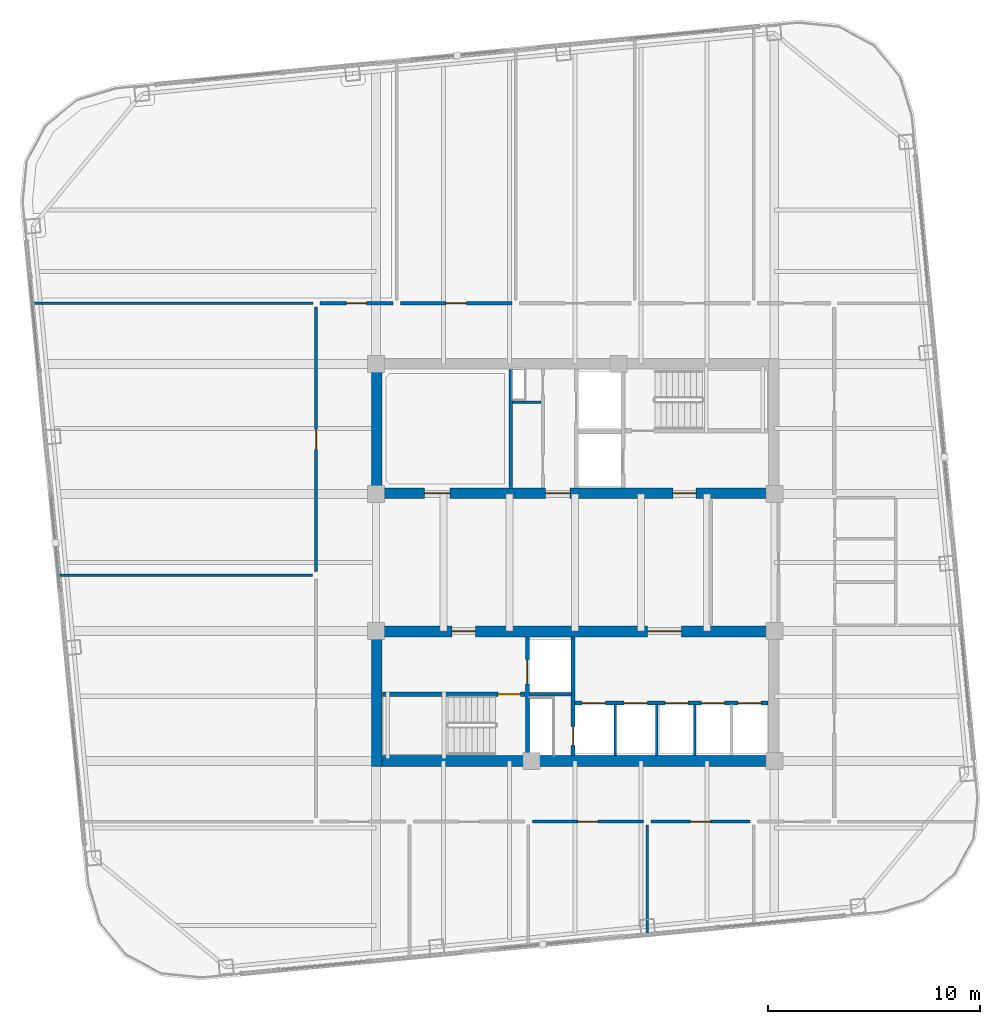
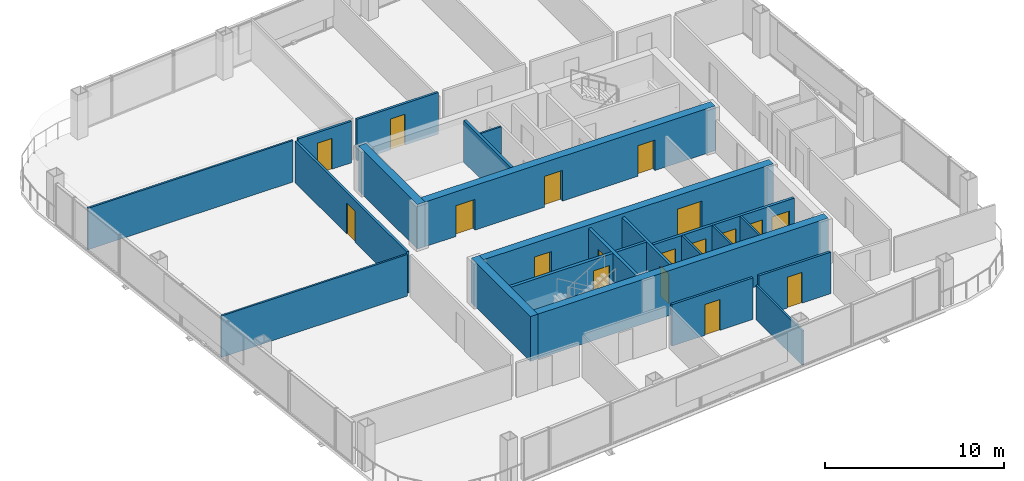
# One storey, part 17 of 22: 23 walls, 18 doors, 18 openings.
"""IFC4 building model written with IfcOpenShell, lengths in metres."""

from ifc_helpers import new_model, si_unit, direction, frame, frame_2d, origin, place, context, subcontext, project, spatial, rectangle, extrude, material, layer, layer_set, type_object, element, fill, save


model = new_model("IFC4")

# Units and contexts
model_context = context("Model", 3, precision=1e-05, world=origin(), true_north=direction((0.0, 1.0)))
body_context = subcontext(model_context, "Body", "Model", "MODEL_VIEW")
ifc_project = project(units=[si_unit("LENGTHUNIT", "METRE"), si_unit("AREAUNIT", "SQUARE_METRE"), si_unit("VOLUMEUNIT", "CUBIC_METRE"), si_unit("PLANEANGLEUNIT", "RADIAN"), si_unit("MASSUNIT", "GRAM", prefix="KILO")], contexts=[model_context])

# Site, building, storey
site_placement = place(None, origin())
site = spatial("IfcSite", under=ifc_project, at=site_placement, CompositionType="ELEMENT")
building_placement = place(site_placement, origin())
building = spatial("IfcBuilding", under=site, at=building_placement, Name="Qhalaya Broadcast Tower", CompositionType="ELEMENT")
storey_placement = place(building_placement, frame((0.0, 0.0, 171.39990234375)))
storey = spatial("IfcBuildingStorey", under=building, at=storey_placement, Name="L50", CompositionType="ELEMENT", Elevation=171.39990234375)

# Wall, opening, door
ifc_material_1 = material(Name="Gypsum Acoustic Partition")
ifc_layer_1 = layer(ifc_material_1, 0.14990234375, Name="Gypsum Acoustic Partition")
ifc_layer_set_1 = layer_set([ifc_layer_1], Name="Gypsum Acoustic Partition")
wall_type_1 = type_object("IfcWallType", Name="Corridor & Tenancy Acoustic Partition 150", PredefinedType="PARTITIONING", material=ifc_layer_set_1)
wall_1_placement = place(storey_placement, frame((-12.02001953125, 12.800048828125, 0.0), z_axis=(0.0, 0.0, 1.0), x_axis=(1.0, 0.0, 0.0)))
wall_1 = element("IfcWall", 1, at=wall_1_placement, inside=storey, type_object=wall_type_1, Name="L50 Partition Wall W-COR-01", PredefinedType="PARTITIONING", context=body_context, shape_type="SweptSolid", body=[
    extrude(rectangle(XDim=3.43994140625, YDim=0.14990234375, at=frame_2d((1.719970703125, 0.0))), origin(), (0.0, 0.0, 1.0), 2.830078125),
])
opening_1_placement = place(wall_1_placement, frame((1.2451171875, 0.0, 0.0)))
opening_1 = element("IfcOpeningElement", 2, at=opening_1_placement, cuts=wall_1, Name="Opening D10", PredefinedType="OPENING", context=body_context, shape_type="SweptSolid", body=[
    extrude(rectangle(XDim=0.949951171875, YDim=2.10009765625, at=frame_2d((0.47509765625, 1.050048828125))), frame((0.0, 0.0869140625, 0.0), z_axis=(0.0, -1.0, 0.0), x_axis=(1.0, 0.0, 0.0)), (0.0, 0.0, 1.0), 0.173828125),
])
ifc_material_2 = material(Name="Timber Veneer Acoustic Door", Category="wood")
door_type_1 = type_object("IfcDoorType", Name="Cellular Office & Edit Booth Door D10", OperationType="NOTDEFINED", PredefinedType="DOOR", material=ifc_material_2)
door_1_placement = place(opening_1_placement, origin())
door_1 = element("IfcDoor", 3, at=door_1_placement, inside=storey, type_object=door_type_1, Name="L50 Door D-RM01", OperationType="SINGLE_SWING_RIGHT", OverallHeight=2.10009765625, OverallWidth=0.949951171875, PredefinedType="DOOR", context=body_context, shape_type="SweptSolid", body=[
    extrude(rectangle(XDim=0.949951171875, YDim=2.10009765625, at=frame_2d((0.47509765625, 1.050048828125))), frame((0.0, 0.02490234375, 0.0), z_axis=(0.0, -1.0, 0.0), x_axis=(1.0, 0.0, 0.0)), (0.0, 0.0, 1.0), 0.050048828125),
])
fill(opening_1, door_1)

wall_2_placement = place(storey_placement, frame((-8.219970703125, 12.800048828125, 0.0), z_axis=(0.0, 0.0, 1.0), x_axis=(1.0, 0.0, 0.0)))
wall_2 = element("IfcWall", 4, at=wall_2_placement, inside=storey, type_object=wall_type_1, Name="L50 Partition Wall W-COR-02", PredefinedType="PARTITIONING", context=body_context, shape_type="SweptSolid", body=[
    extrude(rectangle(XDim=5.239990234375, YDim=0.14990234375, at=frame_2d((2.6201171875, 0.0))), origin(), (0.0, 0.0, 1.0), 2.830078125),
])
opening_2_placement = place(wall_2_placement, frame((2.14501953125, 0.0, 0.0)))
opening_2 = element("IfcOpeningElement", 5, at=opening_2_placement, cuts=wall_2, Name="Opening D10", PredefinedType="OPENING", context=body_context, shape_type="SweptSolid", body=[
    extrude(rectangle(XDim=0.949951171875, YDim=2.10009765625, at=frame_2d((0.47509765625, 1.050048828125))), frame((0.0, 0.0869140625, 0.0), z_axis=(0.0, -1.0, 0.0), x_axis=(1.0, 0.0, 0.0)), (0.0, 0.0, 1.0), 0.173828125),
])
door_2_placement = place(opening_2_placement, origin())
door_2 = element("IfcDoor", 6, at=door_2_placement, inside=storey, type_object=door_type_1, Name="L50 Door D-RM02", OperationType="SINGLE_SWING_LEFT", OverallHeight=2.10009765625, OverallWidth=0.949951171875, PredefinedType="DOOR", context=body_context, shape_type="SweptSolid", body=[
    extrude(rectangle(XDim=0.949951171875, YDim=2.10009765625, at=frame_2d((0.47509765625, 1.050048828125))), frame((0.0, 0.02490234375, 0.0), z_axis=(0.0, -1.0, 0.0), x_axis=(1.0, 0.0, 0.0)), (0.0, 0.0, 1.0), 0.050048828125),
])
fill(opening_2, door_2)

wall_3_placement = place(storey_placement, frame((-2.02001953125, -11.60009765625, 0.0), z_axis=(0.0, 0.0, 1.0), x_axis=(1.0, 0.0, 0.0)))
wall_3 = element("IfcWall", 7, at=wall_3_placement, inside=storey, type_object=wall_type_1, Name="L50 Partition Wall W-COR-08", PredefinedType="PARTITIONING", context=body_context, shape_type="SweptSolid", body=[
    extrude(rectangle(XDim=5.239990234375, YDim=0.14990234375, at=frame_2d((2.6201171875, 0.0))), origin(), (0.0, 0.0, 1.0), 2.830078125),
])
opening_3_placement = place(wall_3_placement, frame((2.14501953125, 0.0, 0.0)))
opening_3 = element("IfcOpeningElement", 8, at=opening_3_placement, cuts=wall_3, Name="Opening D10", PredefinedType="OPENING", context=body_context, shape_type="SweptSolid", body=[
    extrude(rectangle(XDim=0.949951171875, YDim=2.10009765625, at=frame_2d((0.47509765625, 1.050048828125))), frame((0.0, 0.0869140625, 0.0), z_axis=(0.0, -1.0, 0.0), x_axis=(1.0, 0.0, 0.0)), (0.0, 0.0, 1.0), 0.173828125),
])
door_3_placement = place(opening_3_placement, origin())
door_3 = element("IfcDoor", 9, at=door_3_placement, inside=storey, type_object=door_type_1, Name="L50 Door D-RM08", OperationType="SINGLE_SWING_LEFT", OverallHeight=2.10009765625, OverallWidth=0.949951171875, PredefinedType="DOOR", context=body_context, shape_type="SweptSolid", body=[
    extrude(rectangle(XDim=0.949951171875, YDim=2.10009765625, at=frame_2d((0.47509765625, 1.050048828125))), frame((0.0, 0.02490234375, 0.0), z_axis=(0.0, -1.0, 0.0), x_axis=(1.0, 0.0, 0.0)), (0.0, 0.0, 1.0), 0.050048828125),
])
fill(opening_3, door_3)

wall_4_placement = place(storey_placement, frame((3.580078125, -11.60009765625, 0.0), z_axis=(0.0, 0.0, 1.0), x_axis=(1.0, 0.0, 0.0)))
wall_4 = element("IfcWall", 10, at=wall_4_placement, inside=storey, type_object=wall_type_1, Name="L50 Partition Wall W-COR-09", PredefinedType="PARTITIONING", context=body_context, shape_type="SweptSolid", body=[
    extrude(rectangle(XDim=4.639892578125, YDim=0.14990234375, at=frame_2d((2.31982421875, 0.0))), origin(), (0.0, 0.0, 1.0), 2.830078125),
])
opening_4_placement = place(wall_4_placement, frame((1.844970703125, 0.0, 0.0)))
opening_4 = element("IfcOpeningElement", 11, at=opening_4_placement, cuts=wall_4, Name="Opening D10", PredefinedType="OPENING", context=body_context, shape_type="SweptSolid", body=[
    extrude(rectangle(XDim=0.949951171875, YDim=2.10009765625, at=frame_2d((0.47509765625, 1.050048828125))), frame((0.0, 0.0869140625, 0.0), z_axis=(0.0, -1.0, 0.0), x_axis=(1.0, 0.0, 0.0)), (0.0, 0.0, 1.0), 0.173828125),
])
door_4_placement = place(opening_4_placement, origin())
door_4 = element("IfcDoor", 12, at=door_4_placement, inside=storey, type_object=door_type_1, Name="L50 Door D-RM09", OperationType="SINGLE_SWING_RIGHT", OverallHeight=2.10009765625, OverallWidth=0.949951171875, PredefinedType="DOOR", context=body_context, shape_type="SweptSolid", body=[
    extrude(rectangle(XDim=0.949951171875, YDim=2.10009765625, at=frame_2d((0.47509765625, 1.050048828125))), frame((0.0, 0.02490234375, 0.0), z_axis=(0.0, -1.0, 0.0), x_axis=(1.0, 0.0, 0.0)), (0.0, 0.0, 1.0), 0.050048828125),
])
fill(opening_4, door_4)

wall_5_placement = place(storey_placement, frame((-12.199951171875, 0.179931640625, 0.0), z_axis=(0.0, 0.0, 1.0), x_axis=(0.0, 1.0, 0.0)))
wall_5 = element("IfcWall", 13, at=wall_5_placement, inside=storey, type_object=wall_type_1, Name="L50 Partition Wall W-COR-12", PredefinedType="PARTITIONING", context=body_context, shape_type="SweptSolid", body=[
    extrude(rectangle(XDim=12.440185546875, YDim=0.14990234375, at=frame_2d((6.22021484375, 0.0))), origin(), (0.0, 0.0, 1.0), 2.830078125),
])
opening_5_placement = place(wall_5_placement, frame((5.7451171875, 0.0, 0.0)))
opening_5 = element("IfcOpeningElement", 14, at=opening_5_placement, cuts=wall_5, Name="Opening D10", PredefinedType="OPENING", context=body_context, shape_type="SweptSolid", body=[
    extrude(rectangle(XDim=0.949951171875, YDim=2.10009765625, at=frame_2d((0.47509765625, 1.050048828125))), frame((0.0, 0.0869140625, 0.0), z_axis=(0.0, -1.0, 0.0), x_axis=(1.0, 0.0, 0.0)), (0.0, 0.0, 1.0), 0.173828125),
])
door_5_placement = place(opening_5_placement, origin())
door_5 = element("IfcDoor", 15, at=door_5_placement, inside=storey, type_object=door_type_1, Name="L50 Door D-RM12", OperationType="SINGLE_SWING_LEFT", OverallHeight=2.10009765625, OverallWidth=0.949951171875, PredefinedType="DOOR", context=body_context, shape_type="SweptSolid", body=[
    extrude(rectangle(XDim=0.949951171875, YDim=2.10009765625, at=frame_2d((0.47509765625, 1.050048828125))), frame((0.0, 0.02490234375, 0.0), z_axis=(0.0, -1.0, 0.0), x_axis=(1.0, 0.0, 0.0)), (0.0, 0.0, 1.0), 0.050048828125),
])
fill(opening_5, door_5)

ifc_material_3 = material(Name="Concrete C50/60", Category="concrete")
ifc_layer_2 = layer(ifc_material_3, 0.199951171875, Name="Concrete C50/60")
ifc_layer_set_2 = layer_set([ifc_layer_2], Name="Concrete C50/60")
wall_type_2 = type_object("IfcWallType", Name="Load-Bearing Stair Shaft Wall 200", PredefinedType="SHEAR", material=ifc_layer_set_2)
wall_6_placement = place(storey_placement, frame((-9.080078125, -5.60498046875, 0.0), z_axis=(0.0, 0.0, 1.0), x_axis=(1.0, 0.0, 0.0)))
wall_6 = element("IfcWall", 16, at=wall_6_placement, inside=storey, type_object=wall_type_2, Name="L50 Stair Core Shear Wall SCW-ST2", PredefinedType="SHEAR", context=body_context, shape_type="SweptSolid", body=[
    extrude(rectangle(XDim=6.719970703125, YDim=0.199951171875, at=frame_2d((3.35986328125, 0.0))), origin(), (0.0, 0.0, 1.0), 2.830078125),
])
opening_6_placement = place(wall_6_placement, frame((5.449951171875, 0.0, 0.0)))
opening_6 = element("IfcOpeningElement", 17, at=opening_6_placement, cuts=wall_6, Name="Opening D03", PredefinedType="OPENING", context=body_context, shape_type="SweptSolid", body=[
    extrude(rectangle(XDim=1.050048828125, YDim=2.080078125, at=frame_2d((0.52490234375, 1.0400390625))), frame((0.0, 0.112060546875, 0.0), z_axis=(0.0, -1.0, 0.0), x_axis=(1.0, 0.0, 0.0)), (0.0, 0.0, 1.0), 0.223876953125),
])
ifc_material_4 = material(Name="Fire-Rated Steel Door", Category="steel")
door_type_2 = type_object("IfcDoorType", Name="Core Stair Protected Fire Door D03", OperationType="NOTDEFINED", PredefinedType="DOOR", material=ifc_material_4)
door_6_placement = place(opening_6_placement, origin())
door_6 = element("IfcDoor", 18, at=door_6_placement, inside=storey, type_object=door_type_2, Name="L50 Door D-SST2", OperationType="SINGLE_SWING_RIGHT", OverallHeight=2.080078125, OverallWidth=1.050048828125, PredefinedType="DOOR", context=body_context, shape_type="SweptSolid", body=[
    extrude(rectangle(XDim=1.050048828125, YDim=2.080078125, at=frame_2d((0.52490234375, 1.0400390625))), frame((0.0, 0.02490234375, 0.0), z_axis=(0.0, -1.0, 0.0), x_axis=(1.0, 0.0, 0.0)), (0.0, 0.0, 1.0), 0.050048828125),
])
fill(opening_6, door_6)

wall_7_placement = place(storey_placement, frame((-2.25, -8.47998046875, 0.0), z_axis=(0.0, 0.0, 1.0), x_axis=(0.0, 1.0, 0.0)))
wall_7 = element("IfcWall", 19, at=wall_7_placement, inside=storey, type_object=wall_type_2, Name="L50 Stair Core Shear Wall SCW-FF", PredefinedType="SHEAR", context=body_context, shape_type="SweptSolid", body=[
    extrude(rectangle(XDim=5.56005859375, YDim=0.199951171875, at=frame_2d((2.780029296875, 0.0))), origin(), (0.0, 0.0, 1.0), 2.830078125),
])
opening_7_placement = place(wall_7_placement, frame((3.35009765625, 0.0, 0.0)))
opening_7 = element("IfcOpeningElement", 20, at=opening_7_placement, cuts=wall_7, Name="Opening LD2", PredefinedType="OPENING", context=body_context, shape_type="SweptSolid", body=[
    extrude(rectangle(XDim=1.14990234375, YDim=2.080078125, at=frame_2d((0.574951171875, 1.0400390625))), frame((0.0, 0.112060546875, 0.0), z_axis=(0.0, -1.0, 0.0), x_axis=(1.0, 0.0, 0.0)), (0.0, 0.0, 1.0), 0.223876953125),
])
ifc_material_5 = material(Name="Brushed Stainless Steel Lift Door", Category="steel")
door_type_3 = type_object("IfcDoorType", Name="Firefighting Lift Sliding Landing Door LD2", OperationType="DOUBLE_DOOR_SLIDING", PredefinedType="DOOR", material=ifc_material_5)
door_7_placement = place(opening_7_placement, origin())
door_7 = element("IfcDoor", 21, at=door_7_placement, inside=storey, type_object=door_type_3, Name="L50 Door LD-FF2", OperationType="DOUBLE_DOOR_SLIDING", OverallHeight=2.080078125, OverallWidth=1.14990234375, PredefinedType="DOOR", context=body_context, shape_type="SweptSolid", body=[
    extrude(rectangle(XDim=1.14990234375, YDim=2.080078125, at=frame_2d((0.574951171875, 1.0400390625))), frame((0.0, 0.02490234375, 0.0), z_axis=(0.0, -1.0, 0.0), x_axis=(1.0, 0.0, 0.0)), (0.0, 0.0, 1.0), 0.050048828125),
])
fill(opening_7, door_7)

# Wall, openings, doors
ifc_layer_3 = layer(ifc_material_3, 0.5, Name="Concrete C50/60")
ifc_layer_set_3 = layer_set([ifc_layer_3], Name="Concrete C50/60")
wall_type_3 = type_object("IfcWallType", Name="Mid Split-Core Shear Wall 500", PredefinedType="SHEAR", material=ifc_layer_set_3)
wall_8_placement = place(storey_placement, frame((-9.60009765625, 3.85009765625, 0.0), z_axis=(0.0, 0.0, 1.0), x_axis=(1.0, 0.0, 0.0)))
wall_8 = element("IfcWall", 22, at=wall_8_placement, inside=storey, type_object=wall_type_3, Name="L50 Split-Core Shear Wall CW-NS", PredefinedType="SHEAR", context=body_context, shape_type="SweptSolid", body=[
    extrude(rectangle(XDim=19.2001953125, YDim=0.5, at=frame_2d((9.60009765625, 0.0))), origin(), (0.0, 0.0, 1.0), 3.050048828125),
])
opening_8_placement = place(wall_8_placement, frame((14.199951171875, 0.0, 0.0)))
opening_8 = element("IfcOpeningElement", 23, at=opening_8_placement, cuts=wall_8, Name="Opening D04", PredefinedType="OPENING", context=body_context, shape_type="SweptSolid", body=[
    extrude(rectangle(XDim=1.10009765625, YDim=2.080078125, at=frame_2d((0.550048828125, 1.0400390625))), frame((0.0, 0.261962890625, 0.0), z_axis=(0.0, -1.0, 0.0), x_axis=(1.0, 0.0, 0.0)), (0.0, 0.0, 1.0), 0.52392578125),
])
opening_9_placement = place(wall_8_placement, frame((8.199951171875, 0.0, 0.0)))
opening_9 = element("IfcOpeningElement", 24, at=opening_9_placement, cuts=wall_8, Name="Opening D05", PredefinedType="OPENING", context=body_context, shape_type="SweptSolid", body=[
    extrude(rectangle(XDim=1.14990234375, YDim=2.10009765625, at=frame_2d((0.574951171875, 1.050048828125))), frame((0.0, 0.261962890625, 0.0), z_axis=(0.0, -1.0, 0.0), x_axis=(1.0, 0.0, 0.0)), (0.0, 0.0, 1.0), 0.52392578125),
])
opening_10_placement = place(wall_8_placement, frame((2.5, 0.0, 0.0)))
opening_10 = element("IfcOpeningElement", 25, at=opening_10_placement, cuts=wall_8, Name="Opening D11", PredefinedType="OPENING", context=body_context, shape_type="SweptSolid", body=[
    extrude(rectangle(XDim=1.199951171875, YDim=2.10009765625, at=frame_2d((0.60009765625, 1.050048828125))), frame((0.0, 0.261962890625, 0.0), z_axis=(0.0, -1.0, 0.0), x_axis=(1.0, 0.0, 0.0)), (0.0, 0.0, 1.0), 0.52392578125),
])
ifc_material_6 = material(Name="Anodised Aluminium Glazed Door", Category="aluminium")
door_type_4 = type_object("IfcDoorType", Name="Conference, Boardroom & Studio Control Door D11", OperationType="NOTDEFINED", PredefinedType="DOOR", material=ifc_material_6)
door_8_placement = place(opening_10_placement, origin())
door_8 = element("IfcDoor", 26, at=door_8_placement, inside=storey, type_object=door_type_4, Name="L50 Door D-NREC1", OperationType="SINGLE_SWING_LEFT", OverallHeight=2.10009765625, OverallWidth=1.199951171875, PredefinedType="DOOR", context=body_context, shape_type="SweptSolid", body=[
    extrude(rectangle(XDim=1.199951171875, YDim=2.10009765625, at=frame_2d((0.60009765625, 1.050048828125))), frame((0.0, 0.02490234375, 0.0), z_axis=(0.0, -1.0, 0.0), x_axis=(1.0, 0.0, 0.0)), (0.0, 0.0, 1.0), 0.050048828125),
])
fill(opening_10, door_8)
door_type_5 = type_object("IfcDoorType", Name="Firefighting Lobby Rated Door D04", OperationType="NOTDEFINED", PredefinedType="DOOR", material=ifc_material_4)
door_9_placement = place(opening_8_placement, origin())
door_9 = element("IfcDoor", 27, at=door_9_placement, inside=storey, type_object=door_type_5, Name="L50 Door D-NFF", OperationType="SINGLE_SWING_RIGHT", OverallHeight=2.080078125, OverallWidth=1.10009765625, PredefinedType="DOOR", context=body_context, shape_type="SweptSolid", body=[
    extrude(rectangle(XDim=1.10009765625, YDim=2.080078125, at=frame_2d((0.550048828125, 1.0400390625))), frame((0.0, 0.02490234375, 0.0), z_axis=(0.0, -1.0, 0.0), x_axis=(1.0, 0.0, 0.0)), (0.0, 0.0, 1.0), 0.050048828125),
])
fill(opening_8, door_9)
door_type_6 = type_object("IfcDoorType", Name="Refuge & Plant Room Fire Door D05", OperationType="NOTDEFINED", PredefinedType="DOOR", material=ifc_material_4)
door_10_placement = place(opening_9_placement, origin())
door_10 = element("IfcDoor", 28, at=door_10_placement, inside=storey, type_object=door_type_6, Name="L50 Door D-NSVL", OperationType="SINGLE_SWING_LEFT", OverallHeight=2.10009765625, OverallWidth=1.14990234375, PredefinedType="DOOR", context=body_context, shape_type="SweptSolid", body=[
    extrude(rectangle(XDim=1.14990234375, YDim=2.10009765625, at=frame_2d((0.574951171875, 1.050048828125))), frame((0.0, 0.02490234375, 0.0), z_axis=(0.0, -1.0, 0.0), x_axis=(1.0, 0.0, 0.0)), (0.0, 0.0, 1.0), 0.050048828125),
])
fill(opening_9, door_10)

# Walls
wall_9_placement = place(storey_placement, frame((-9.35009765625, 3.60009765625, 0.0), z_axis=(0.0, 0.0, 1.0), x_axis=(0.0, 1.0, 0.0)))
element("IfcWall", 29, at=wall_9_placement, inside=storey, type_object=wall_type_3, Name="L50 Split-Core Shear Wall CW-NW", PredefinedType="SHEAR", context=body_context, shape_type="SweptSolid", body=[
    extrude(rectangle(XDim=6.599853515625, YDim=0.5, at=frame_2d((3.2998046875, 0.0))), origin(), (0.0, 0.0, 1.0), 3.050048828125),
])
wall_10_placement = place(storey_placement, frame((-9.60009765625, -8.75, 0.0), z_axis=(0.0, 0.0, 1.0), x_axis=(1.0, 0.0, 0.0)))
element("IfcWall", 30, at=wall_10_placement, inside=storey, type_object=wall_type_3, Name="L50 Split-Core Shear Wall CW-SS", PredefinedType="SHEAR", context=body_context, shape_type="SweptSolid", body=[
    extrude(rectangle(XDim=19.2001953125, YDim=0.5, at=frame_2d((9.60009765625, 0.0))), origin(), (0.0, 0.0, 1.0), 3.050048828125),
])

# Wall, openings, doors
wall_11_placement = place(storey_placement, frame((-9.60009765625, -2.64990234375, 0.0), z_axis=(0.0, 0.0, 1.0), x_axis=(1.0, 0.0, 0.0)))
wall_11 = element("IfcWall", 31, at=wall_11_placement, inside=storey, type_object=wall_type_3, Name="L50 Split-Core Shear Wall CW-SN", PredefinedType="SHEAR", context=body_context, shape_type="SweptSolid", body=[
    extrude(rectangle(XDim=19.2001953125, YDim=0.5, at=frame_2d((9.60009765625, 0.0))), origin(), (0.0, 0.0, 1.0), 3.050048828125),
])
opening_11_placement = place(wall_11_placement, frame((3.800048828125, 0.0, 0.0)))
opening_11 = element("IfcOpeningElement", 32, at=opening_11_placement, cuts=wall_11, Name="Opening D04", PredefinedType="OPENING", context=body_context, shape_type="SweptSolid", body=[
    extrude(rectangle(XDim=1.10009765625, YDim=2.080078125, at=frame_2d((0.550048828125, 1.0400390625))), frame((0.0, 0.261962890625, 0.0), z_axis=(0.0, -1.0, 0.0), x_axis=(1.0, 0.0, 0.0)), (0.0, 0.0, 1.0), 0.52392578125),
])
opening_12_placement = place(wall_11_placement, frame((13.0, 0.0, 0.0)))
opening_12 = element("IfcOpeningElement", 33, at=opening_12_placement, cuts=wall_11, Name="Opening D07", PredefinedType="OPENING", context=body_context, shape_type="SweptSolid", body=[
    extrude(rectangle(XDim=1.60009765625, YDim=2.1201171875, at=frame_2d((0.800048828125, 1.06005859375))), frame((0.0, 0.261962890625, 0.0), z_axis=(0.0, -1.0, 0.0), x_axis=(1.0, 0.0, 0.0)), (0.0, 0.0, 1.0), 0.52392578125),
])
door_11_placement = place(opening_11_placement, origin())
door_11 = element("IfcDoor", 34, at=door_11_placement, inside=storey, type_object=door_type_5, Name="L50 Door D-SFF", OperationType="SINGLE_SWING_LEFT", OverallHeight=2.080078125, OverallWidth=1.10009765625, PredefinedType="DOOR", context=body_context, shape_type="SweptSolid", body=[
    extrude(rectangle(XDim=1.10009765625, YDim=2.080078125, at=frame_2d((0.550048828125, 1.0400390625))), frame((0.0, 0.02490234375, 0.0), z_axis=(0.0, -1.0, 0.0), x_axis=(1.0, 0.0, 0.0)), (0.0, 0.0, 1.0), 0.050048828125),
])
fill(opening_11, door_11)
door_type_7 = type_object("IfcDoorType", Name="Passenger Lift Lobby Double Glazed Door D07", OperationType="DOUBLE_DOOR_SINGLE_SWING", PredefinedType="DOOR", material=ifc_material_6)
door_12_placement = place(opening_12_placement, origin())
door_12 = element("IfcDoor", 35, at=door_12_placement, inside=storey, type_object=door_type_7, Name="L50 Door D-SPLL", OperationType="DOUBLE_DOOR_SINGLE_SWING", OverallHeight=2.1201171875, OverallWidth=1.60009765625, PredefinedType="DOOR", context=body_context, shape_type="SweptSolid", body=[
    extrude(rectangle(XDim=1.60009765625, YDim=2.1201171875, at=frame_2d((0.800048828125, 1.06005859375))), frame((0.0, 0.02490234375, 0.0), z_axis=(0.0, -1.0, 0.0), x_axis=(1.0, 0.0, 0.0)), (0.0, 0.0, 1.0), 0.050048828125),
])
fill(opening_12, door_12)

# Walls
wall_12_placement = place(storey_placement, frame((-9.35009765625, -9.0, 0.0), z_axis=(0.0, 0.0, 1.0), x_axis=(0.0, 1.0, 0.0)))
element("IfcWall", 36, at=wall_12_placement, inside=storey, type_object=wall_type_3, Name="L50 Split-Core Shear Wall CW-SW", PredefinedType="SHEAR", context=body_context, shape_type="SweptSolid", body=[
    extrude(rectangle(XDim=6.60009765625, YDim=0.5, at=frame_2d((3.300048828125, 0.0))), origin(), (0.0, 0.0, 1.0), 3.050048828125),
])
ifc_layer_4 = layer(ifc_material_1, 0.1201171875, Name="Gypsum Acoustic Partition")
ifc_layer_set_4 = layer_set([ifc_layer_4], Name="Gypsum Acoustic Partition")
wall_type_4 = type_object("IfcWallType", Name="Office, Booth & Sanitary Partition 120", PredefinedType="PARTITIONING", material=ifc_layer_set_4)
wall_13_placement = place(storey_placement, frame((-2.9599609375, 8.14990234375, 0.0), z_axis=(0.0, 0.0, 1.0), x_axis=(1.0, 0.0, 0.0)))
element("IfcWall", 37, at=wall_13_placement, inside=storey, type_object=wall_type_4, Name="L50 Partition Wall NCW-VA", PredefinedType="PARTITIONING", context=body_context, shape_type="SweptSolid", body=[
    extrude(rectangle(XDim=1.35986328125, YDim=0.1201171875, at=frame_2d((0.679931640625, 0.0))), origin(), (0.0, 0.0, 1.0), 2.830078125),
])
for number, where, z_axis, x_axis, name in (
    (38, (1.8798828125, -8.47998046875, 0.0), (0.0, 0.0, 1.0), (0.0, 1.0, 0.0), "L50 Partition Wall SCW-MD4"),
    (39, (3.85009765625, -8.47998046875, 0.0), (0.0, 0.0, 1.0), (0.0, 1.0, 0.0), "L50 Partition Wall SCW-MD5"),
    (40, (5.639892578125, -8.47998046875, 0.0), (0.0, 0.0, 1.0), (0.0, 1.0, 0.0), "L50 Partition Wall SCW-HD6"),
):
    element("IfcWall", number, at=place(storey_placement, frame(where, z_axis=z_axis, x_axis=x_axis)), inside=storey, type_object=wall_type_4, Name=name, PredefinedType="PARTITIONING", context=body_context, shape_type="SweptSolid", body=[
        extrude(rectangle(XDim=2.3798828125, YDim=0.1201171875, at=frame_2d((1.18994140625, 0.0))), origin(), (0.0, 0.0, 1.0), 2.830078125),
    ])
wall_14_placement = place(storey_placement, frame((-25.558837890625, 12.800048828125, 0.0), z_axis=(0.0, 0.0, 1.0), x_axis=(1.0, 0.0, 0.0)))
element("IfcWall", 41, at=wall_14_placement, inside=storey, type_object=wall_type_4, Name="L50 Partition Wall W-BNDW1", PredefinedType="PARTITIONING", context=body_context, shape_type="SweptSolid", body=[
    extrude(rectangle(XDim=13.21875, YDim=0.1201171875, at=frame_2d((6.609375, 0.0))), origin(), (0.0, 0.0, 1.0), 2.830078125),
])
wall_15_placement = place(storey_placement, frame((3.39990234375, -16.9189453125, 0.0), z_axis=(0.0, 0.0, 1.0), x_axis=(0.0, 1.0, 0.0)))
element("IfcWall", 42, at=wall_15_placement, inside=storey, type_object=wall_type_4, Name="L50 Partition Wall W-DIVS3", PredefinedType="PARTITIONING", context=body_context, shape_type="SweptSolid", body=[
    extrude(rectangle(XDim=5.158935546875, YDim=0.1201171875, at=frame_2d((2.57958984375, 0.0))), origin(), (0.0, 0.0, 1.0), 2.34716796875),
])
wall_16_placement = place(storey_placement, frame((-24.326416015625, 0.0, 0.0), z_axis=(0.0, 0.0, 1.0), x_axis=(1.0, 0.0, 0.0)))
element("IfcWall", 43, at=wall_16_placement, inside=storey, type_object=wall_type_4, Name="L50 Partition Wall W-DIVW1", PredefinedType="PARTITIONING", context=body_context, shape_type="SweptSolid", body=[
    extrude(rectangle(XDim=11.96630859375, YDim=0.1201171875, at=frame_2d((5.983154296875, 0.0))), origin(), (0.0, 0.0, 1.0), 2.830078125),
])
ifc_layer_5 = layer(ifc_material_1, 0.175048828125, Name="Gypsum Acoustic Partition")
ifc_layer_set_5 = layer_set([ifc_layer_5], Name="Gypsum Acoustic Partition")
wall_type_5 = type_object("IfcWallType", Name="Shaft & Riser Fire Partition 175", PredefinedType="PARTITIONING", material=ifc_layer_set_5)
wall_17_placement = place(storey_placement, frame((-3.0400390625, 4.1201171875, 0.0), z_axis=(0.0, 0.0, 1.0), x_axis=(0.0, 1.0, 0.0)))
element("IfcWall", 44, at=wall_17_placement, inside=storey, type_object=wall_type_5, Name="L50 Partition Wall NCW-VRW", PredefinedType="PARTITIONING", context=body_context, shape_type="SweptSolid", body=[
    extrude(rectangle(XDim=5.559814453125, YDim=0.175048828125, at=frame_2d((2.77978515625, 0.0))), origin(), (0.0, 0.0, 1.0), 2.830078125),
])

# Wall, opening, door
wall_18_placement = place(storey_placement, frame((-0.10009765625, -8.47998046875, 0.0), z_axis=(0.0, 0.0, 1.0), x_axis=(0.0, 1.0, 0.0)))
wall_18 = element("IfcWall", 45, at=wall_18_placement, inside=storey, type_object=wall_type_5, Name="L50 Partition Wall SCW-FFE", PredefinedType="PARTITIONING", context=body_context, shape_type="SweptSolid", body=[
    extrude(rectangle(XDim=5.56005859375, YDim=0.175048828125, at=frame_2d((2.780029296875, 0.0))), origin(), (0.0, 0.0, 1.0), 2.830078125),
])
opening_13_placement = place(wall_18_placement, frame((0.449951171875, 0.0, 0.0)))
opening_13 = element("IfcOpeningElement", 46, at=opening_13_placement, cuts=wall_18, Name="Opening D06", PredefinedType="OPENING", context=body_context, shape_type="SweptSolid", body=[
    extrude(rectangle(XDim=0.89990234375, YDim=2.050048828125, at=frame_2d((0.449951171875, 1.02490234375))), frame((0.0, 0.099609375, 0.0), z_axis=(0.0, -1.0, 0.0), x_axis=(1.0, 0.0, 0.0)), (0.0, 0.0, 1.0), 0.198974609375),
])
door_type_8 = type_object("IfcDoorType", Name="Riser & Electrical Shaft Access Door D06", OperationType="NOTDEFINED", PredefinedType="DOOR", material=ifc_material_4)
door_13_placement = place(opening_13_placement, origin())
door_13 = element("IfcDoor", 47, at=door_13_placement, inside=storey, type_object=door_type_8, Name="L50 Riser Shaft Access Door D-SRSR", OperationType="SINGLE_SWING_LEFT", OverallHeight=2.050048828125, OverallWidth=0.89990234375, PredefinedType="DOOR", context=body_context, shape_type="SweptSolid", body=[
    extrude(rectangle(XDim=0.89990234375, YDim=2.050048828125, at=frame_2d((0.449951171875, 1.02490234375))), frame((0.0, 0.02490234375, 0.0), z_axis=(0.0, -1.0, 0.0), x_axis=(1.0, 0.0, 0.0)), (0.0, 0.0, 1.0), 0.050048828125),
])
fill(opening_13, door_13)

# Wall
wall_19_placement = place(storey_placement, frame((-2.14990234375, -5.60009765625, 0.0), z_axis=(0.0, 0.0, 1.0), x_axis=(1.0, 0.0, 0.0)))
element("IfcWall", 48, at=wall_19_placement, inside=storey, type_object=wall_type_5, Name="L50 Partition Wall SCW-FFM", PredefinedType="PARTITIONING", context=body_context, shape_type="SweptSolid", body=[
    extrude(rectangle(XDim=1.969970703125, YDim=0.175048828125, at=frame_2d((0.98486328125, 0.0))), origin(), (0.0, 0.0, 1.0), 2.830078125),
])

# Wall, openings, doors
wall_20_placement = place(storey_placement, frame((0.0, -6.02001953125, 0.0), z_axis=(0.0, 0.0, 1.0), x_axis=(1.0, 0.0, 0.0)))
wall_20 = element("IfcWall", 49, at=wall_20_placement, inside=storey, type_object=wall_type_5, Name="L50 Partition Wall SCW-SLB", PredefinedType="PARTITIONING", context=body_context, shape_type="SweptSolid", body=[
    extrude(rectangle(XDim=9.080078125, YDim=0.175048828125, at=frame_2d((4.5400390625, 0.0))), origin(), (0.0, 0.0, 1.0), 2.830078125),
])
opening_14_placement = place(wall_20_placement, frame((0.330078125, 0.0, 0.0)))
opening_14 = element("IfcOpeningElement", 50, at=opening_14_placement, cuts=wall_20, Name="Opening LD1", PredefinedType="OPENING", context=body_context, shape_type="SweptSolid", body=[
    extrude(rectangle(XDim=1.10009765625, YDim=2.06005859375, at=frame_2d((0.550048828125, 1.030029296875))), frame((0.0, 0.099609375, 0.0), z_axis=(0.0, -1.0, 0.0), x_axis=(1.0, 0.0, 0.0)), (0.0, 0.0, 1.0), 0.198974609375),
])
opening_15_placement = place(wall_20_placement, frame((2.300048828125, 0.0, 0.0)))
opening_15 = element("IfcOpeningElement", 51, at=opening_15_placement, cuts=wall_20, Name="Opening LD1", PredefinedType="OPENING", context=body_context, shape_type="SweptSolid", body=[
    extrude(rectangle(XDim=1.10009765625, YDim=2.06005859375, at=frame_2d((0.550048828125, 1.030029296875))), frame((0.0, 0.099609375, 0.0), z_axis=(0.0, -1.0, 0.0), x_axis=(1.0, 0.0, 0.0)), (0.0, 0.0, 1.0), 0.198974609375),
])
opening_16_placement = place(wall_20_placement, frame((4.219970703125, 0.0, 0.0)))
opening_16 = element("IfcOpeningElement", 52, at=opening_16_placement, cuts=wall_20, Name="Opening LD1", PredefinedType="OPENING", context=body_context, shape_type="SweptSolid", body=[
    extrude(rectangle(XDim=1.10009765625, YDim=2.06005859375, at=frame_2d((0.550048828125, 1.030029296875))), frame((0.0, 0.099609375, 0.0), z_axis=(0.0, -1.0, 0.0), x_axis=(1.0, 0.0, 0.0)), (0.0, 0.0, 1.0), 0.198974609375),
])
opening_17_placement = place(wall_20_placement, frame((5.93994140625, 0.0, 0.0)))
opening_17 = element("IfcOpeningElement", 53, at=opening_17_placement, cuts=wall_20, Name="Opening LD1", PredefinedType="OPENING", context=body_context, shape_type="SweptSolid", body=[
    extrude(rectangle(XDim=1.10009765625, YDim=2.06005859375, at=frame_2d((0.550048828125, 1.030029296875))), frame((0.0, 0.099609375, 0.0), z_axis=(0.0, -1.0, 0.0), x_axis=(1.0, 0.0, 0.0)), (0.0, 0.0, 1.0), 0.198974609375),
])
opening_18_placement = place(wall_20_placement, frame((7.659912109375, 0.0, 0.0)))
opening_18 = element("IfcOpeningElement", 54, at=opening_18_placement, cuts=wall_20, Name="Opening LD1", PredefinedType="OPENING", context=body_context, shape_type="SweptSolid", body=[
    extrude(rectangle(XDim=1.10009765625, YDim=2.06005859375, at=frame_2d((0.550048828125, 1.030029296875))), frame((0.0, 0.099609375, 0.0), z_axis=(0.0, -1.0, 0.0), x_axis=(1.0, 0.0, 0.0)), (0.0, 0.0, 1.0), 0.198974609375),
])
door_type_9 = type_object("IfcDoorType", Name="Passenger Lift Sliding Landing Door LD1", OperationType="DOUBLE_DOOR_SLIDING", PredefinedType="DOOR", material=ifc_material_5)
door_14_placement = place(opening_14_placement, origin())
door_14 = element("IfcDoor", 55, at=door_14_placement, inside=storey, type_object=door_type_9, Name="L50 Door LD-P4", OperationType="DOUBLE_DOOR_SLIDING", OverallHeight=2.06005859375, OverallWidth=1.10009765625, PredefinedType="DOOR", context=body_context, shape_type="SweptSolid", body=[
    extrude(rectangle(XDim=1.10009765625, YDim=2.06005859375, at=frame_2d((0.550048828125, 1.030029296875))), frame((0.0, 0.02490234375, 0.0), z_axis=(0.0, -1.0, 0.0), x_axis=(1.0, 0.0, 0.0)), (0.0, 0.0, 1.0), 0.050048828125),
])
fill(opening_14, door_14)
door_15_placement = place(opening_15_placement, origin())
door_15 = element("IfcDoor", 56, at=door_15_placement, inside=storey, type_object=door_type_9, Name="L50 Door LD-P5", OperationType="DOUBLE_DOOR_SLIDING", OverallHeight=2.06005859375, OverallWidth=1.10009765625, PredefinedType="DOOR", context=body_context, shape_type="SweptSolid", body=[
    extrude(rectangle(XDim=1.10009765625, YDim=2.06005859375, at=frame_2d((0.550048828125, 1.030029296875))), frame((0.0, 0.02490234375, 0.0), z_axis=(0.0, -1.0, 0.0), x_axis=(1.0, 0.0, 0.0)), (0.0, 0.0, 1.0), 0.050048828125),
])
fill(opening_15, door_15)
door_16_placement = place(opening_16_placement, origin())
door_16 = element("IfcDoor", 57, at=door_16_placement, inside=storey, type_object=door_type_9, Name="L50 Door LD-P6", OperationType="DOUBLE_DOOR_SLIDING", OverallHeight=2.06005859375, OverallWidth=1.10009765625, PredefinedType="DOOR", context=body_context, shape_type="SweptSolid", body=[
    extrude(rectangle(XDim=1.10009765625, YDim=2.06005859375, at=frame_2d((0.550048828125, 1.030029296875))), frame((0.0, 0.02490234375, 0.0), z_axis=(0.0, -1.0, 0.0), x_axis=(1.0, 0.0, 0.0)), (0.0, 0.0, 1.0), 0.050048828125),
])
fill(opening_16, door_16)
door_17_placement = place(opening_17_placement, origin())
door_17 = element("IfcDoor", 58, at=door_17_placement, inside=storey, type_object=door_type_9, Name="L50 Door LD-P7", OperationType="DOUBLE_DOOR_SLIDING", OverallHeight=2.06005859375, OverallWidth=1.10009765625, PredefinedType="DOOR", context=body_context, shape_type="SweptSolid", body=[
    extrude(rectangle(XDim=1.10009765625, YDim=2.06005859375, at=frame_2d((0.550048828125, 1.030029296875))), frame((0.0, 0.02490234375, 0.0), z_axis=(0.0, -1.0, 0.0), x_axis=(1.0, 0.0, 0.0)), (0.0, 0.0, 1.0), 0.050048828125),
])
fill(opening_17, door_17)
door_18_placement = place(opening_18_placement, origin())
door_18 = element("IfcDoor", 59, at=door_18_placement, inside=storey, type_object=door_type_9, Name="L50 Door LD-P8", OperationType="DOUBLE_DOOR_SLIDING", OverallHeight=2.06005859375, OverallWidth=1.10009765625, PredefinedType="DOOR", context=body_context, shape_type="SweptSolid", body=[
    extrude(rectangle(XDim=1.10009765625, YDim=2.06005859375, at=frame_2d((0.550048828125, 1.030029296875))), frame((0.0, 0.02490234375, 0.0), z_axis=(0.0, -1.0, 0.0), x_axis=(1.0, 0.0, 0.0)), (0.0, 0.0, 1.0), 0.050048828125),
])
fill(opening_18, door_18)

save(model, "model.ifc")
